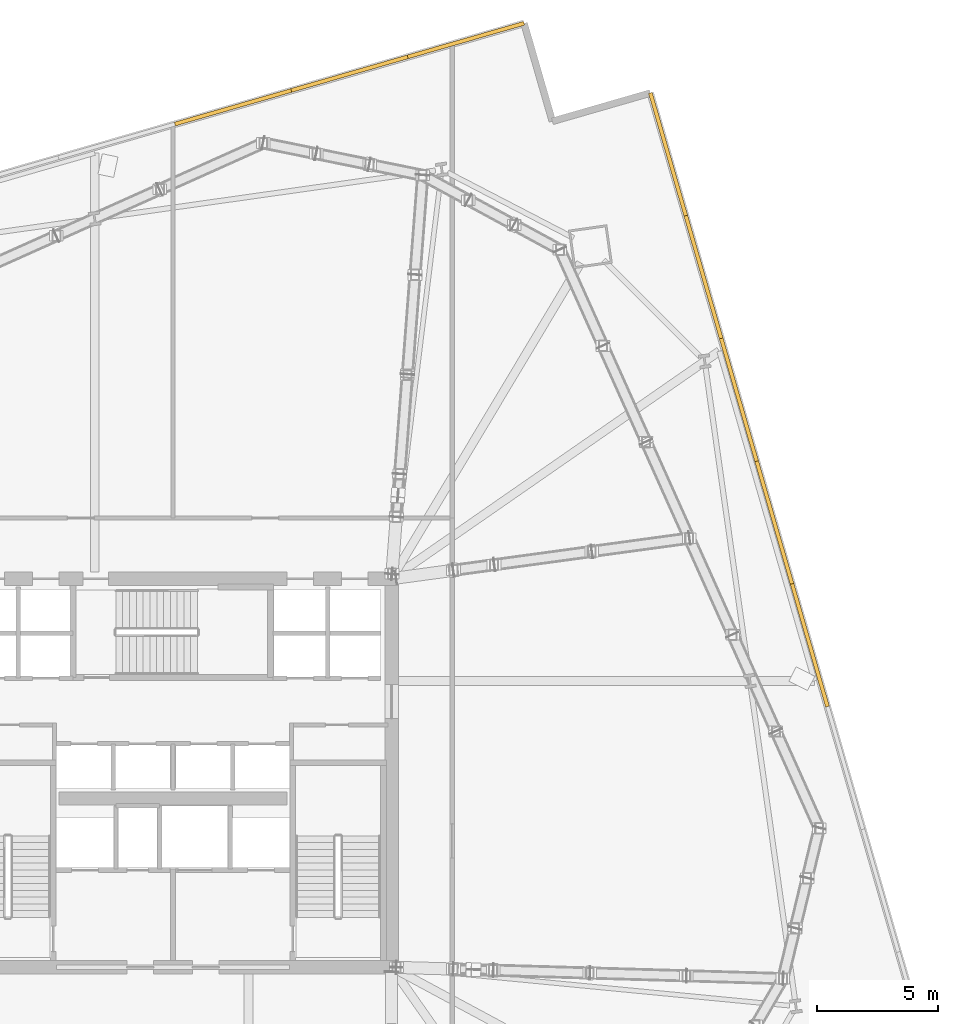
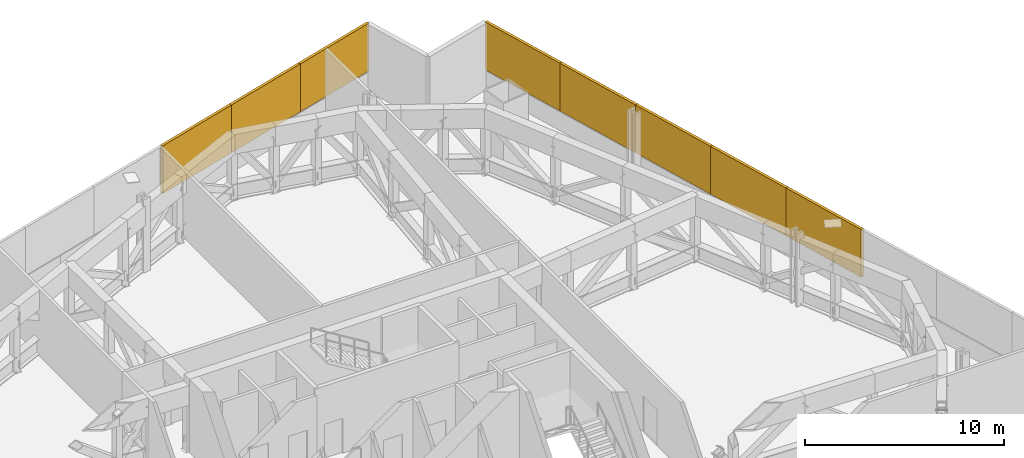
# One storey, part 19 of 19: 8 shading devices.
"""IFC4 building model written with IfcOpenShell, lengths in metres."""

from ifc_helpers import new_model, si_unit, direction, frame, origin, origin_2d, place, context, subcontext, project, spatial, rectangle, extrude, source, transform, mapped, material, layer, layer_set, type_object, element, save


model = new_model("IFC4")

# Units and contexts
model_context = context("Model", 3, precision=1e-05, world=origin(), true_north=direction((0.0, 1.0)))
body_context = subcontext(model_context, "Body", "Model", "MODEL_VIEW")
ifc_project = project(units=[si_unit("LENGTHUNIT", "METRE"), si_unit("AREAUNIT", "SQUARE_METRE"), si_unit("VOLUMEUNIT", "CUBIC_METRE"), si_unit("PLANEANGLEUNIT", "RADIAN"), si_unit("MASSUNIT", "GRAM", prefix="KILO")], contexts=[model_context])

# Site, building, storey
site_placement = place(None, origin())
site = spatial("IfcSite", under=ifc_project, at=site_placement, CompositionType="ELEMENT")
building_placement = place(site_placement, origin())
building = spatial("IfcBuilding", under=site, at=building_placement, Name="Haldenkirk Collegiate Tower", CompositionType="ELEMENT")
storey_placement = place(building_placement, frame((0.0, 0.0, 81.449951171875)))
storey = spatial("IfcBuildingStorey", under=building, at=storey_placement, Name="L19", CompositionType="ELEMENT", Elevation=81.449951171875)

# Shading devices
ifc_material = material(Name="Anodised architectural bronze aluminium", Category="aluminium")
ifc_layer = layer(ifc_material, 0.139892578125)
ifc_layer_set = layer_set([ifc_layer], Name="Anodised architectural bronze aluminium")
shading_device_type = type_object("IfcShadingDeviceType", Name="SHD-LOUVRE-CROWN", PredefinedType="JALOUSIE", material=ifc_layer_set)
shared_shape_1 = source(origin(), body_context, "Body", "SweptSolid", [
    extrude(rectangle(XDim=5.259521484375, YDim=0.159912109375, at=origin_2d()), origin(), (0.0, 0.0, 1.0), 2.93994140625),
])
for number, where, z_axis, x_axis, name in (
    (1, (56.385498046875, 51.47265625, 1.150146484375), (0.0, 0.0, 1.0), (0.277314653302, -0.960779154158, 0.0), "L19 mechanical intake louvre screen E1"),
    (2, (57.843994140625, 46.41943359375, 1.150146484375), (0.0, 0.0, 1.0), (0.277314653302, -0.960779154158, 0.0), "L19 mechanical intake louvre screen E2"),
    (3, (59.302490234375, 41.366455078125, 1.150146484375), (0.0, 0.0, 1.0), (0.277314653302, -0.960779154158, 0.0), "L19 mechanical intake louvre screen E3"),
    (4, (60.76123046875, 36.313232421875, 1.150146484375), (0.0, 0.0, 1.0), (0.277314653302, -0.960779154158, 0.0), "L19 mechanical intake louvre screen E4"),
    (5, (62.2197265625, 31.26025390625, 1.150146484375), (0.0, 0.0, 1.0), (0.277314653302, -0.960779154158, 0.0), "L19 mechanical intake louvre screen E5"),
):
    element("IfcShadingDevice", number, at=place(storey_placement, frame(where, z_axis=z_axis, x_axis=x_axis)), inside=storey, type_object=shading_device_type, Name=name, PredefinedType="JALOUSIE", context=body_context, shape_type="MappedRepresentation", body=[
        mapped(shared_shape_1, transform((0.0, 0.0, 0.0), x_axis=(1.0, 0.0, 0.0), y_axis=(0.0, 1.0, 0.0), z_axis=(0.0, 0.0, 1.0), scale=1.0)),
    ])
shared_shape_2 = source(origin(), body_context, "Body", "SweptSolid", [
    extrude(rectangle(XDim=4.989013671875, YDim=0.159912109375, at=origin_2d()), origin(), (0.0, 0.0, 1.0), 2.93994140625),
])
for number, where, z_axis, x_axis, name in (
    (6, (38.473388671875, 53.410888671875, 1.150146484375), (0.0, 0.0, 1.0), (0.960779154158, 0.277314653302, 0.0), "L19 mechanical intake louvre screen N7"),
    (7, (43.2666015625, 54.79443359375, 1.150146484375), (0.0, 0.0, 1.0), (0.960779154158, 0.277314653302, 0.0), "L19 mechanical intake louvre screen N8"),
    (8, (48.059814453125, 56.177978515625, 1.150146484375), (0.0, 0.0, 1.0), (0.960779154158, 0.277314653302, 0.0), "L19 mechanical intake louvre screen N9"),
):
    element("IfcShadingDevice", number, at=place(storey_placement, frame(where, z_axis=z_axis, x_axis=x_axis)), inside=storey, type_object=shading_device_type, Name=name, PredefinedType="JALOUSIE", context=body_context, shape_type="MappedRepresentation", body=[
        mapped(shared_shape_2, transform((0.0, 0.0, 0.0), x_axis=(1.0, 0.0, 0.0), y_axis=(0.0, 1.0, 0.0), z_axis=(0.0, 0.0, 1.0), scale=1.0)),
    ])

save(model, "model.ifc")
